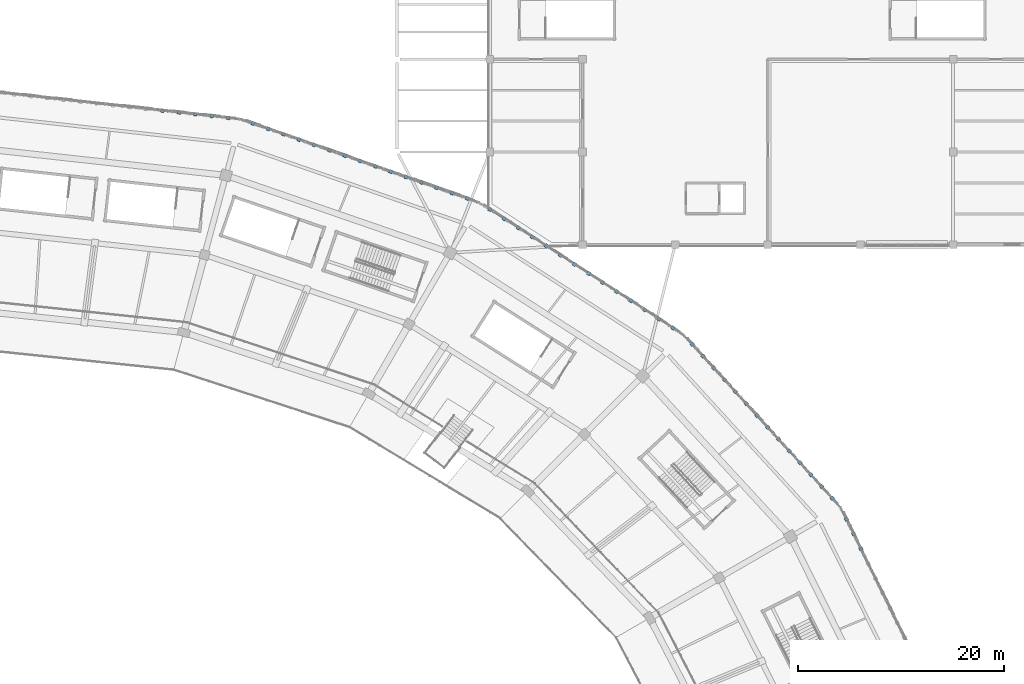
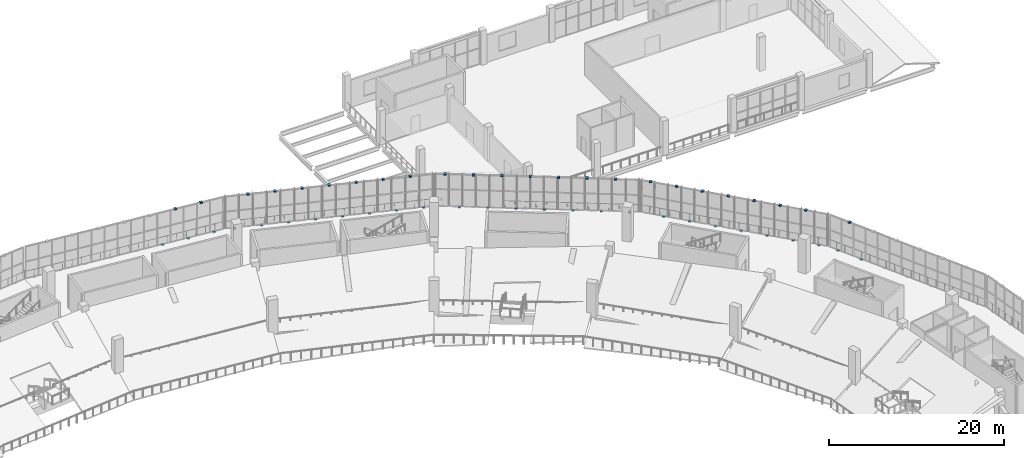
# One storey, part 110 of 152: 51 discrete accessories.
"""IFC4 building model written with IfcOpenShell, lengths in metres."""

from ifc_helpers import new_model, si_unit, direction, frame, origin, origin_2d, place, context, subcontext, project, spatial, rectangle, extrude, material, layer, layer_set, type_object, element, save


model = new_model("IFC4")

# Units and contexts
model_context = context("Model", 3, precision=1e-05, world=origin(), true_north=direction((0.0, 1.0)))
body_context = subcontext(model_context, "Body", "Model", "MODEL_VIEW")
ifc_project = project(units=[si_unit("LENGTHUNIT", "METRE"), si_unit("AREAUNIT", "SQUARE_METRE"), si_unit("VOLUMEUNIT", "CUBIC_METRE"), si_unit("PLANEANGLEUNIT", "RADIAN"), si_unit("MASSUNIT", "GRAM", prefix="KILO")], contexts=[model_context])

# Site, building, storey
site_placement = place(None, origin())
site = spatial("IfcSite", under=ifc_project, at=site_placement, CompositionType="ELEMENT")
building_placement = place(site_placement, origin())
building = spatial("IfcBuilding", under=site, at=building_placement, Name="Zevraka Park Crest Stadium", CompositionType="ELEMENT")
storey_placement = place(building_placement, frame((0.0, 0.0, 15.0)))
storey = spatial("IfcBuildingStorey", under=building, at=storey_placement, Name="L03", CompositionType="ELEMENT", Elevation=15.0)

# Discrete accessories
ifc_material = material(Name="Galvanised steel bracketry", Category="steel")
ifc_layer = layer(ifc_material, 0.1201171875)
ifc_layer_set = layer_set([ifc_layer], Name="Galvanised steel bracketry")
discrete_accessory_type = type_object("IfcDiscreteAccessoryType", Name="BRK01", PredefinedType="BRACKET", material=ifc_layer_set)
for number, where, z_axis, x_axis, name in (
    (1, (197.050048828125, 128.468017578125, -0.16015625), (0.0, 0.0, 1.0), (-0.440722679139, 0.897643314515, 0.0), "Bronze Screen Carrier Bracket BRK01 L03-01-11"),
    (2, (196.343017578125, 129.908935546875, 4.39990234375), (0.0, 0.0, 1.0), (-0.440722679139, 0.897643314515, 0.0), "Bronze Screen Carrier Bracket BRK01 L03-01-12"),
    (3, (195.635986328125, 131.35009765625, -0.16015625), (0.0, 0.0, 1.0), (-0.440722679139, 0.897643314515, 0.0), "Bronze Screen Carrier Bracket BRK01 L03-01-13"),
    (4, (194.26806640625, 133.367919921875, -0.16015625), (0.0, 0.0, 1.0), (-0.672754292556, 0.739865975598, 0.0), "Bronze Screen Carrier Bracket BRK01 L03-02-1"),
    (5, (193.221923828125, 134.51904296875, 4.39990234375), (0.0, 0.0, 1.0), (-0.672754292556, 0.739865975598, 0.0), "Bronze Screen Carrier Bracket BRK01 L03-02-2"),
    (6, (192.175048828125, 135.669921875, -0.16015625), (0.0, 0.0, 1.0), (-0.672754292556, 0.739865975598, 0.0), "Bronze Screen Carrier Bracket BRK01 L03-02-3"),
    (7, (191.12890625, 136.820068359375, 4.39990234375), (0.0, 0.0, 1.0), (-0.672754292556, 0.739865975598, 0.0), "Bronze Screen Carrier Bracket BRK01 L03-02-4"),
    (8, (190.08203125, 137.970947265625, -0.16015625), (0.0, 0.0, 1.0), (-0.672754292556, 0.739865975598, 0.0), "Bronze Screen Carrier Bracket BRK01 L03-02-5"),
    (9, (189.035888671875, 139.1220703125, 4.39990234375), (0.0, 0.0, 1.0), (-0.672754292556, 0.739865975598, 0.0), "Bronze Screen Carrier Bracket BRK01 L03-02-6"),
    (10, (187.989013671875, 140.27294921875, -0.16015625), (0.0, 0.0, 1.0), (-0.672754292556, 0.739865975598, 0.0), "Bronze Screen Carrier Bracket BRK01 L03-02-7"),
    (11, (186.943115234375, 141.423095703125, 4.39990234375), (0.0, 0.0, 1.0), (-0.672754292556, 0.739865975598, 0.0), "Bronze Screen Carrier Bracket BRK01 L03-02-8"),
    (12, (185.89599609375, 142.573974609375, -0.16015625), (0.0, 0.0, 1.0), (-0.672754292556, 0.739865975598, 0.0), "Bronze Screen Carrier Bracket BRK01 L03-02-9"),
    (13, (184.85009765625, 143.72509765625, 4.39990234375), (0.0, 0.0, 1.0), (-0.672754292556, 0.739865975598, 0.0), "Bronze Screen Carrier Bracket BRK01 L03-02-10"),
    (14, (183.802978515625, 144.8759765625, -0.16015625), (0.0, 0.0, 1.0), (-0.672754292556, 0.739865975598, 0.0), "Bronze Screen Carrier Bracket BRK01 L03-02-11"),
    (15, (182.757080078125, 146.02587890625, 4.39990234375), (0.0, 0.0, 1.0), (-0.672754292556, 0.739865975598, 0.0), "Bronze Screen Carrier Bracket BRK01 L03-02-12"),
    (16, (181.7099609375, 147.177001953125, -0.16015625), (0.0, 0.0, 1.0), (-0.672754292556, 0.739865975598, 0.0), "Bronze Screen Carrier Bracket BRK01 L03-02-13"),
    (17, (180.6640625, 148.327880859375, 4.39990234375), (0.0, 0.0, 1.0), (-0.672754292556, 0.739865975598, 0.0), "Bronze Screen Carrier Bracket BRK01 L03-02-14"),
    (18, (178.7880859375, 149.9130859375, -0.16015625), (0.0, 0.0, 1.0), (-0.839430209734, 0.543467499475, 0.0), "Bronze Screen Carrier Bracket BRK01 L03-03-1"),
    (19, (177.422119140625, 150.797119140625, 4.39990234375), (0.0, 0.0, 1.0), (-0.839430209734, 0.543467499475, 0.0), "Bronze Screen Carrier Bracket BRK01 L03-03-2"),
    (20, (176.055908203125, 151.681884765625, -0.16015625), (0.0, 0.0, 1.0), (-0.839430209734, 0.543467499475, 0.0), "Bronze Screen Carrier Bracket BRK01 L03-03-3"),
    (21, (174.68994140625, 152.56591796875, 4.39990234375), (0.0, 0.0, 1.0), (-0.839430209734, 0.543467499475, 0.0), "Bronze Screen Carrier Bracket BRK01 L03-03-4"),
    (22, (173.322998046875, 153.450927734375, -0.16015625), (0.0, 0.0, 1.0), (-0.839430209734, 0.543467499475, 0.0), "Bronze Screen Carrier Bracket BRK01 L03-03-5"),
    (23, (171.95703125, 154.3349609375, 4.39990234375), (0.0, 0.0, 1.0), (-0.839430209734, 0.543467499475, 0.0), "Bronze Screen Carrier Bracket BRK01 L03-03-6"),
    (24, (170.591064453125, 155.219970703125, -0.16015625), (0.0, 0.0, 1.0), (-0.839430209734, 0.543467499475, 0.0), "Bronze Screen Carrier Bracket BRK01 L03-03-7"),
    (25, (169.22509765625, 156.10400390625, 4.39990234375), (0.0, 0.0, 1.0), (-0.839430209734, 0.543467499475, 0.0), "Bronze Screen Carrier Bracket BRK01 L03-03-8"),
    (26, (167.85888671875, 156.989013671875, -0.16015625), (0.0, 0.0, 1.0), (-0.839430209734, 0.543467499475, 0.0), "Bronze Screen Carrier Bracket BRK01 L03-03-9"),
    (27, (166.492919921875, 157.873046875, 4.39990234375), (0.0, 0.0, 1.0), (-0.839430209734, 0.543467499475, 0.0), "Bronze Screen Carrier Bracket BRK01 L03-03-10"),
    (28, (165.1259765625, 158.758056640625, -0.16015625), (0.0, 0.0, 1.0), (-0.839430209734, 0.543467499475, 0.0), "Bronze Screen Carrier Bracket BRK01 L03-03-11"),
    (29, (163.760009765625, 159.64208984375, 4.39990234375), (0.0, 0.0, 1.0), (-0.839430209734, 0.543467499475, 0.0), "Bronze Screen Carrier Bracket BRK01 L03-03-12"),
    (30, (162.39404296875, 160.527099609375, -0.16015625), (0.0, 0.0, 1.0), (-0.839430209734, 0.543467499475, 0.0), "Bronze Screen Carrier Bracket BRK01 L03-03-13"),
    (31, (161.028076171875, 161.410888671875, 4.39990234375), (0.0, 0.0, 1.0), (-0.839430209734, 0.543467499475, 0.0), "Bronze Screen Carrier Bracket BRK01 L03-03-14"),
    (32, (158.81201171875, 162.4990234375, -0.16015625), (0.0, 0.0, 1.0), (-0.944031464141, 0.329855414859, 0.0), "Bronze Screen Carrier Bracket BRK01 L03-04-1"),
    (33, (157.324951171875, 163.01904296875, 4.39990234375), (0.0, 0.0, 1.0), (-0.944031464141, 0.329855414859, 0.0), "Bronze Screen Carrier Bracket BRK01 L03-04-2"),
    (34, (155.837890625, 163.5390625, -0.16015625), (0.0, 0.0, 1.0), (-0.944031464141, 0.329855414859, 0.0), "Bronze Screen Carrier Bracket BRK01 L03-04-3"),
    (35, (154.35107421875, 164.05810546875, 4.39990234375), (0.0, 0.0, 1.0), (-0.944031464141, 0.329855414859, 0.0), "Bronze Screen Carrier Bracket BRK01 L03-04-4"),
    (36, (152.864013671875, 164.577880859375, -0.16015625), (0.0, 0.0, 1.0), (-0.944031464141, 0.329855414859, 0.0), "Bronze Screen Carrier Bracket BRK01 L03-04-5"),
    (37, (151.376953125, 165.097900390625, 4.39990234375), (0.0, 0.0, 1.0), (-0.944031464141, 0.329855414859, 0.0), "Bronze Screen Carrier Bracket BRK01 L03-04-6"),
    (38, (149.889892578125, 165.616943359375, -0.16015625), (0.0, 0.0, 1.0), (-0.944031464141, 0.329855414859, 0.0), "Bronze Screen Carrier Bracket BRK01 L03-04-7"),
    (39, (148.404052734375, 166.136962890625, 4.39990234375), (0.0, 0.0, 1.0), (-0.944031464141, 0.329855414859, 0.0), "Bronze Screen Carrier Bracket BRK01 L03-04-8"),
    (40, (146.9169921875, 166.656982421875, -0.16015625), (0.0, 0.0, 1.0), (-0.944031464141, 0.329855414859, 0.0), "Bronze Screen Carrier Bracket BRK01 L03-04-9"),
    (41, (145.429931640625, 167.176025390625, 4.39990234375), (0.0, 0.0, 1.0), (-0.944031464141, 0.329855414859, 0.0), "Bronze Screen Carrier Bracket BRK01 L03-04-10"),
    (42, (143.943115234375, 167.696044921875, -0.16015625), (0.0, 0.0, 1.0), (-0.944031464141, 0.329855414859, 0.0), "Bronze Screen Carrier Bracket BRK01 L03-04-11"),
    (43, (142.4560546875, 168.216064453125, 4.39990234375), (0.0, 0.0, 1.0), (-0.944031464141, 0.329855414859, 0.0), "Bronze Screen Carrier Bracket BRK01 L03-04-12"),
    (44, (140.968994140625, 168.735107421875, -0.16015625), (0.0, 0.0, 1.0), (-0.944031464141, 0.329855414859, 0.0), "Bronze Screen Carrier Bracket BRK01 L03-04-13"),
    (45, (139.48193359375, 169.2548828125, 4.39990234375), (0.0, 0.0, 1.0), (-0.944031464141, 0.329855414859, 0.0), "Bronze Screen Carrier Bracket BRK01 L03-04-14"),
    (46, (137.9951171875, 169.77490234375, -0.16015625), (0.0, 0.0, 1.0), (-0.944031464141, 0.329855414859, 0.0), "Bronze Screen Carrier Bracket BRK01 L03-04-15"),
    (47, (135.593994140625, 170.318115234375, -0.16015625), (0.0, 0.0, 1.0), (-0.993884104238, 0.110428199945, 0.0), "Bronze Screen Carrier Bracket BRK01 L03-05-1"),
    (48, (133.998046875, 170.49609375, 4.39990234375), (0.0, 0.0, 1.0), (-0.993884104238, 0.110428199945, 0.0), "Bronze Screen Carrier Bracket BRK01 L03-05-2"),
    (49, (132.40087890625, 170.673095703125, -0.16015625), (0.0, 0.0, 1.0), (-0.993884104238, 0.110428199945, 0.0), "Bronze Screen Carrier Bracket BRK01 L03-05-3"),
    (50, (130.803955078125, 170.85009765625, 4.39990234375), (0.0, 0.0, 1.0), (-0.993884104238, 0.110428199945, 0.0), "Bronze Screen Carrier Bracket BRK01 L03-05-4"),
    (51, (129.20703125, 171.028076171875, -0.16015625), (0.0, 0.0, 1.0), (-0.993884104238, 0.110428199945, 0.0), "Bronze Screen Carrier Bracket BRK01 L03-05-5"),
):
    element("IfcDiscreteAccessory", number, at=place(storey_placement, frame(where, z_axis=z_axis, x_axis=x_axis)), inside=storey, type_object=discrete_accessory_type, Name=name, PredefinedType="BRACKET", context=body_context, shape_type="SweptSolid", body=[
        extrude(rectangle(XDim=0.320068359375, YDim=0.360107421875, at=origin_2d()), origin(), (0.0, 0.0, 1.0), 0.159912109375),
    ])

save(model, "model.ifc")
